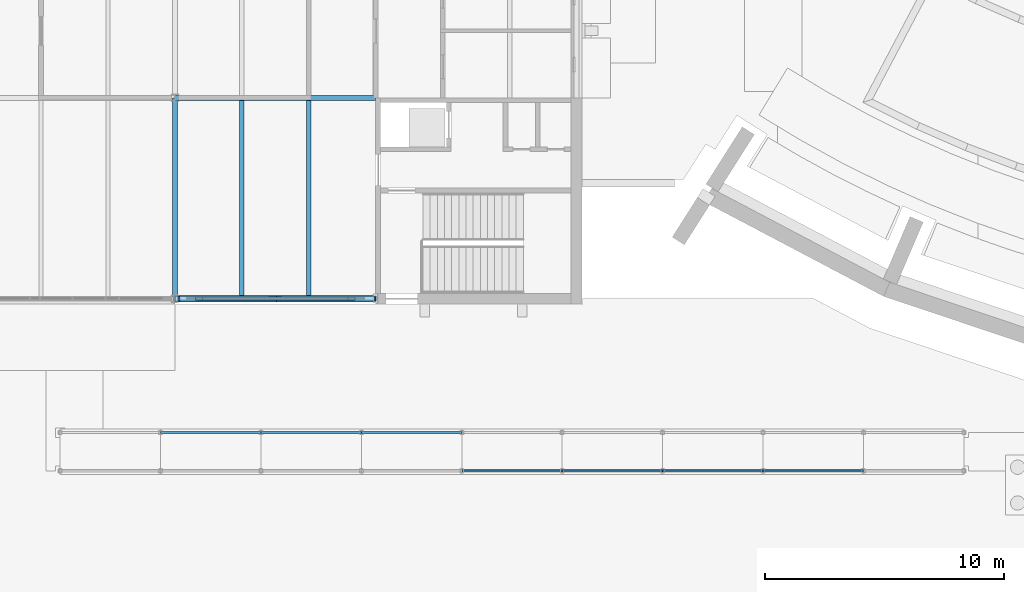
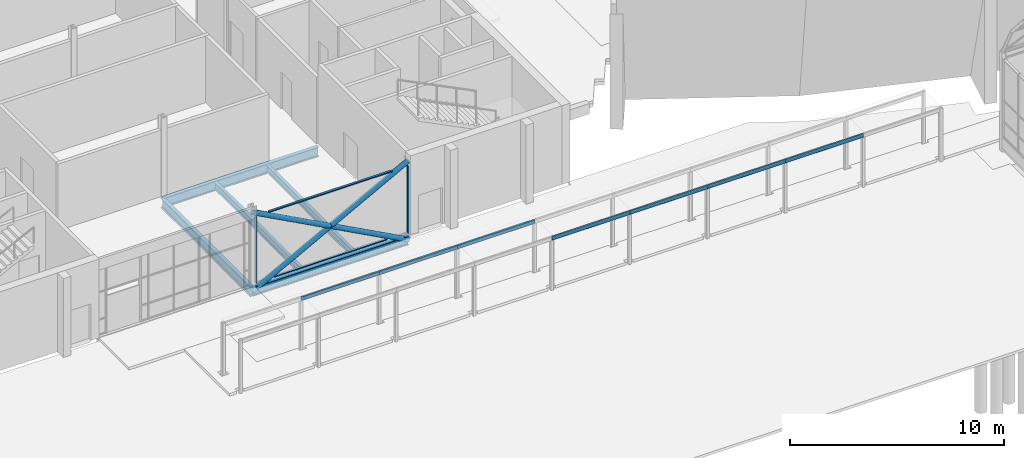
# One storey, part 23 of 116: 12 beams, 7 members, 1 element without a shape of its own.
"""IFC4 building model written with IfcOpenShell, lengths in metres."""

from ifc_helpers import new_model, si_unit, direction, frame, origin, origin_2d, place, context, subcontext, project, spatial, rectangle, hollow_rectangle, hollow_circle, i_section, extrude, material, layer, layer_set, material_profile, profile_set, type_object, element, aggregate, save


model = new_model("IFC4")

# Units and contexts
model_context = context("Model", 3, precision=1e-05, world=origin(), true_north=direction((0.0, 1.0)))
body_context = subcontext(model_context, "Body", "Model", "MODEL_VIEW")
ifc_project = project(units=[si_unit("LENGTHUNIT", "METRE"), si_unit("AREAUNIT", "SQUARE_METRE"), si_unit("VOLUMEUNIT", "CUBIC_METRE"), si_unit("PLANEANGLEUNIT", "RADIAN"), si_unit("MASSUNIT", "GRAM", prefix="KILO")], contexts=[model_context])

# Site, building, storey
site_placement = place(None, origin())
site = spatial("IfcSite", under=ifc_project, at=site_placement, CompositionType="ELEMENT")
building_placement = place(site_placement, origin())
building = spatial("IfcBuilding", under=site, at=building_placement, Name="Ardhachandra Cancer Care Centre", CompositionType="ELEMENT")
storey_placement = place(building_placement, origin())
storey = spatial("IfcBuildingStorey", under=building, at=storey_placement, Name="L00", CompositionType="ELEMENT", Elevation=0.0)

# Beams
ifc_material_1 = material(Name="Steel E350 (IS 2062)", Category="steel")
ifc_material_profile_1 = material_profile(ifc_material_1, i_section(OverallWidth=0.179931640625, OverallDepth=0.39990234375, WebThickness=0.008544921875, FlangeThickness=0.013427734375, FilletRadius=0.02099609375, at=origin_2d()), Name="NPB 400x180x66.30")
ifc_profile_set_1 = profile_set([ifc_material_profile_1], Name="Steel E350 (IS 2062)")
beam_type_1 = type_object("IfcBeamType", Name="Beam NPB 400x180x66.30", PredefinedType="BEAM", material=ifc_profile_set_1)
for number, where, z_axis, x_axis, name in (
    (1, (30.39990234375, 29.5, -0.35009765625), (0.0, 1.0, 0.0), (-1.0, 0.0, 0.0), "Secondary C3-D3@2800"),
    (2, (33.199951171875, 29.5, -0.35009765625), (0.0, 1.0, 0.0), (-1.0, 0.0, 0.0), "Secondary C3-D3@5600"),
):
    element("IfcBeam", number, at=place(storey_placement, frame(where, z_axis=z_axis, x_axis=x_axis)), inside=storey, type_object=beam_type_1, Name=name, PredefinedType="BEAM", context=body_context, shape_type="SweptSolid", body=[
        extrude(i_section(OverallWidth=0.179931640625, OverallDepth=0.39990234375, WebThickness=0.008544921875, FlangeThickness=0.013427734375, FilletRadius=0.02099609375, at=origin_2d()), origin(), (0.0, 0.0, 1.0), 8.195068359375),
    ])
ifc_material_2 = material(Name="Steel E350 (IS 2062)", Category="steel")
ifc_material_profile_2 = material_profile(ifc_material_2, i_section(OverallWidth=0.199951171875, OverallDepth=0.5, WebThickness=0.01025390625, FlangeThickness=0.01611328125, FilletRadius=0.02099609375, at=origin_2d()), Name="NPB 500x200x90.68")
ifc_profile_set_2 = profile_set([ifc_material_profile_2], Name="Steel E350 (IS 2062)")
beam_type_2 = type_object("IfcBeamType", Name="Beam NPB 500x200x90.68", PredefinedType="BEAM", material=ifc_profile_set_2)
beam_1_placement = place(storey_placement, frame((27.60009765625, 29.39990234375, -0.39990234375), z_axis=(1.0, 0.0, 0.0), x_axis=(0.0, 1.0, 0.0)))
element("IfcBeam", 3, at=beam_1_placement, inside=storey, type_object=beam_type_2, Name="Edge girder C3-C4", PredefinedType="BEAM", context=body_context, shape_type="SweptSolid", body=[
    extrude(i_section(OverallWidth=0.199951171875, OverallDepth=0.5, WebThickness=0.01025390625, FlangeThickness=0.01611328125, FilletRadius=0.02099609375, at=origin_2d()), origin(), (0.0, 0.0, 1.0), 8.39990234375),
])
ifc_material_3 = material(Name="Steel E350 (IS 2062)", Category="steel")
ifc_material_profile_3 = material_profile(ifc_material_3, i_section(OverallWidth=0.2099609375, OverallDepth=0.550048828125, WebThickness=0.010986328125, FlangeThickness=0.01708984375, FilletRadius=0.02392578125, at=origin_2d()), Name="NPB 550x210x105.52")
ifc_profile_set_3 = profile_set([ifc_material_profile_3], Name="Steel E350 (IS 2062)")
beam_type_3 = type_object("IfcBeamType", Name="Beam NPB 550x210x105.52", PredefinedType="BEAM", material=ifc_profile_set_3)
beam_2_placement = place(storey_placement, frame((27.60009765625, 37.800048828125, -0.425048828125), z_axis=(1.0, 0.0, 0.0), x_axis=(0.0, 1.0, 0.0)))
element("IfcBeam", 4, at=beam_2_placement, inside=storey, type_object=beam_type_3, Name="Girder D3-D4", PredefinedType="BEAM", context=body_context, shape_type="SweptSolid", body=[
    extrude(i_section(OverallWidth=0.2099609375, OverallDepth=0.550048828125, WebThickness=0.010986328125, FlangeThickness=0.01708984375, FilletRadius=0.02392578125, at=origin_2d()), origin(), (0.0, 0.0, 1.0), 8.39990234375),
])
beam_3_placement = place(storey_placement, frame((27.60009765625, 29.39990234375, -0.425048828125), z_axis=(0.0, 1.0, 0.0), x_axis=(-1.0, 0.0, 0.0)))
element("IfcBeam", 5, at=beam_3_placement, inside=storey, type_object=beam_type_3, Name="Girder C3-D3", PredefinedType="BEAM", context=body_context, shape_type="SweptSolid", body=[
    extrude(i_section(OverallWidth=0.2099609375, OverallDepth=0.550048828125, WebThickness=0.010986328125, FlangeThickness=0.01708984375, FilletRadius=0.02392578125, at=origin_2d()), origin(), (0.0, 0.0, 1.0), 8.400146484375),
])

# Members
ifc_material_4 = material(Name="Steel E350 (IS 2062)", Category="steel")
ifc_material_profile_4 = material_profile(ifc_material_4, hollow_circle(Radius=0.136474609375, WallThickness=0.010009765625, at=origin_2d()), Name="CHS 273x10.0")
ifc_profile_set_4 = profile_set([ifc_material_profile_4], Name="Steel E350 (IS 2062)")
member_type_1 = type_object("IfcMemberType", Name="Brace CHS 273x10.0", PredefinedType="BRACE", material=ifc_profile_set_4)
member_1_placement = place(storey_placement, frame((27.60009765625, 29.39990234375, -0.39990234375), z_axis=(0.881477684796, 0.0, 0.472225678258), x_axis=(0.0, 1.0, 0.0)))
element("IfcMember", 6, at=member_1_placement, inside=storey, type_object=member_type_1, Name="Brace V2-X294-276 L00 A", PredefinedType="BRACE", context=body_context, shape_type="SweptSolid", body=[
    extrude(hollow_circle(Radius=0.136474609375, WallThickness=0.010009765625, at=origin_2d()), origin(), (0.0, 0.0, 1.0), 9.529296875),
])
for number, where, z_axis, x_axis, name in (
    (7, (36.0, 29.39990234375, -0.39990234375), (-0.881477684796, 0.0, 0.472225678258), (0.0, -1.0, 0.0), "Brace V2-X294-276 L00 B1"),
    (8, (31.800048828125, 29.39990234375, 1.85009765625), (-0.881477684796, 0.0, 0.472225678258), (0.0, -1.0, 0.0), "Brace V2-X294-276 L00 B2"),
):
    element("IfcMember", number, at=place(storey_placement, frame(where, z_axis=z_axis, x_axis=x_axis)), inside=storey, type_object=member_type_1, Name=name, PredefinedType="BRACE", context=body_context, shape_type="SweptSolid", body=[
        extrude(hollow_circle(Radius=0.136474609375, WallThickness=0.010009765625, at=origin_2d()), origin(), (0.0, 0.0, 1.0), 4.7646484375),
    ])

# Curtain wall, members
ifc_material_5 = material(Name="Aluminium extrusion", Category="aluminium")
ifc_layer = layer(ifc_material_5, 0.14990234375)
ifc_layer_set = layer_set([ifc_layer], Name="Aluminium extrusion")
curtain_wall_type = type_object("IfcCurtainWallType", Name="Curtain wall run", PredefinedType="NOTDEFINED", material=ifc_layer_set)
curtain_wall_placement = place(storey_placement, origin())
curtain_wall = element("IfcCurtainWall", 9, at=curtain_wall_placement, inside=storey, type_object=curtain_wall_type, Name="Curtain wall L00 s/0027600_0029400", PredefinedType="NOTDEFINED")
ifc_material_6 = material(Name="Aluminium extrusion", Category="aluminium")
ifc_material_profile_5 = material_profile(ifc_material_6, rectangle(XDim=0.159912109375, YDim=0.06005859375, at=origin_2d()), Name="Curtain wall mullion 60 x 160")
ifc_profile_set_5 = profile_set([ifc_material_profile_5], Name="Aluminium extrusion")
member_type_2 = type_object("IfcMemberType", Name="Curtain wall mullion 60 x 160", PredefinedType="MULLION", material=ifc_profile_set_5)
member_2_placement = place(storey_placement, frame((27.780029296875, 29.39990234375, 0.0), z_axis=(0.0, 0.0, 1.0), x_axis=(0.0, 1.0, 0.0)))
member_2 = element("IfcMember", 10, at=member_2_placement, type_object=member_type_2, Name="CW mullion 1", PredefinedType="MULLION", context=body_context, shape_type="SweptSolid", body=[
    extrude(rectangle(XDim=0.159912109375, YDim=0.06005859375, at=origin_2d()), origin(), (0.0, 0.0, 1.0), 3.8310546875),
])
member_3_placement = place(storey_placement, frame((35.969970703125, 29.39990234375, 0.0), z_axis=(0.0, 0.0, 1.0), x_axis=(0.0, 1.0, 0.0)))
member_3 = element("IfcMember", 11, at=member_3_placement, type_object=member_type_2, Name="CW mullion 2", PredefinedType="MULLION", context=body_context, shape_type="SweptSolid", body=[
    extrude(rectangle(XDim=0.159912109375, YDim=0.06005859375, at=origin_2d()), origin(), (0.0, 0.0, 1.0), 3.85009765625),
])
ifc_material_7 = material(Name="Aluminium extrusion", Category="aluminium")
ifc_material_profile_6 = material_profile(ifc_material_7, rectangle(XDim=0.1201171875, YDim=0.06005859375, at=origin_2d()), Name="Curtain wall transom 60 x 120")
ifc_profile_set_6 = profile_set([ifc_material_profile_6], Name="Aluminium extrusion")
member_type_3 = type_object("IfcMemberType", Name="Curtain wall transom 60 x 120", PredefinedType="USERDEFINED", material=ifc_profile_set_6)
member_4_placement = place(storey_placement, frame((28.749755859375, 29.39990234375, 0.030029296875), z_axis=(1.0, 0.0, 0.0), x_axis=(0.0, 1.0, 0.0)))
member_4 = element("IfcMember", 12, at=member_4_placement, type_object=member_type_3, Name="CW transom 1.1", ObjectType="TRANSOM", PredefinedType="USERDEFINED", context=body_context, shape_type="SweptSolid", body=[
    extrude(rectangle(XDim=0.1201171875, YDim=0.06005859375, at=origin_2d()), origin(), (0.0, 0.0, 1.0), 6.100341796875),
])
member_5_placement = place(storey_placement, frame((28.4697265625, 29.39990234375, 3.820068359375), z_axis=(1.0, 0.0, 0.0), x_axis=(0.0, 1.0, 0.0)))
member_5 = element("IfcMember", 13, at=member_5_placement, type_object=member_type_3, Name="CW transom 1.2", ObjectType="TRANSOM", PredefinedType="USERDEFINED", context=body_context, shape_type="SweptSolid", body=[
    extrude(rectangle(XDim=0.1201171875, YDim=0.06005859375, at=origin_2d()), origin(), (0.0, 0.0, 1.0), 6.660400390625),
])
aggregate(curtain_wall, [member_2, member_3, member_4, member_5])

# Beams
ifc_material_8 = material(Name="Steel E350 (IS 2062)", Category="steel")
ifc_material_profile_7 = material_profile(ifc_material_8, hollow_rectangle(XDim=0.10009765625, YDim=0.199951171875, WallThickness=0.006103515625, InnerFilletRadius=0.006103515625, OuterFilletRadius=0.011962890625, at=origin_2d()), Name="RHS 200x100x6.0")
ifc_profile_set_7 = profile_set([ifc_material_profile_7], Name="Steel E350 (IS 2062)")
beam_type_4 = type_object("IfcBeamType", Name="Walk beam RHS 200x100x6.0", PredefinedType="BEAM", material=ifc_profile_set_7)
for number, where, z_axis, x_axis, name in (
    (14, (52.199951171875, 22.199951171875, 2.780029296875), (1.0, 0.0, 0.0), (0.0, 1.0, 0.0), "Walk beam S2"),
    (15, (48.0, 22.199951171875, 2.780029296875), (1.0, 0.0, 0.0), (0.0, 1.0, 0.0), "Walk beam S3"),
    (16, (43.800048828125, 22.199951171875, 2.780029296875), (1.0, 0.0, 0.0), (0.0, 1.0, 0.0), "Walk beam S4"),
    (17, (39.60009765625, 22.199951171875, 2.780029296875), (1.0, 0.0, 0.0), (0.0, 1.0, 0.0), "Walk beam S5"),
):
    element("IfcBeam", number, at=place(storey_placement, frame(where, z_axis=z_axis, x_axis=x_axis)), inside=storey, type_object=beam_type_4, Name=name, PredefinedType="BEAM", context=body_context, shape_type="SweptSolid", body=[
        extrude(hollow_rectangle(XDim=0.10009765625, YDim=0.199951171875, WallThickness=0.006103515625, InnerFilletRadius=0.006103515625, OuterFilletRadius=0.011962890625, at=origin_2d()), origin(), (0.0, 0.0, 1.0), 4.199951171875),
    ])
beam_4_placement = place(storey_placement, frame((35.39990234375, 23.800048828125, 2.780029296875), z_axis=(1.0, 0.0, 0.0), x_axis=(0.0, 1.0, 0.0)))
element("IfcBeam", 18, at=beam_4_placement, inside=storey, type_object=beam_type_4, Name="Walk beam N6", PredefinedType="BEAM", context=body_context, shape_type="SweptSolid", body=[
    extrude(hollow_rectangle(XDim=0.10009765625, YDim=0.199951171875, WallThickness=0.006103515625, InnerFilletRadius=0.006103515625, OuterFilletRadius=0.011962890625, at=origin_2d()), origin(), (0.0, 0.0, 1.0), 4.2001953125),
])
for number, where, z_axis, x_axis, name in (
    (19, (31.199951171875, 23.800048828125, 2.780029296875), (1.0, 0.0, 0.0), (0.0, 1.0, 0.0), "Walk beam N7"),
    (20, (27.0, 23.800048828125, 2.780029296875), (1.0, 0.0, 0.0), (0.0, 1.0, 0.0), "Walk beam N8"),
):
    element("IfcBeam", number, at=place(storey_placement, frame(where, z_axis=z_axis, x_axis=x_axis)), inside=storey, type_object=beam_type_4, Name=name, PredefinedType="BEAM", context=body_context, shape_type="SweptSolid", body=[
        extrude(hollow_rectangle(XDim=0.10009765625, YDim=0.199951171875, WallThickness=0.006103515625, InnerFilletRadius=0.006103515625, OuterFilletRadius=0.011962890625, at=origin_2d()), origin(), (0.0, 0.0, 1.0), 4.199951171875),
    ])

save(model, "model.ifc")
